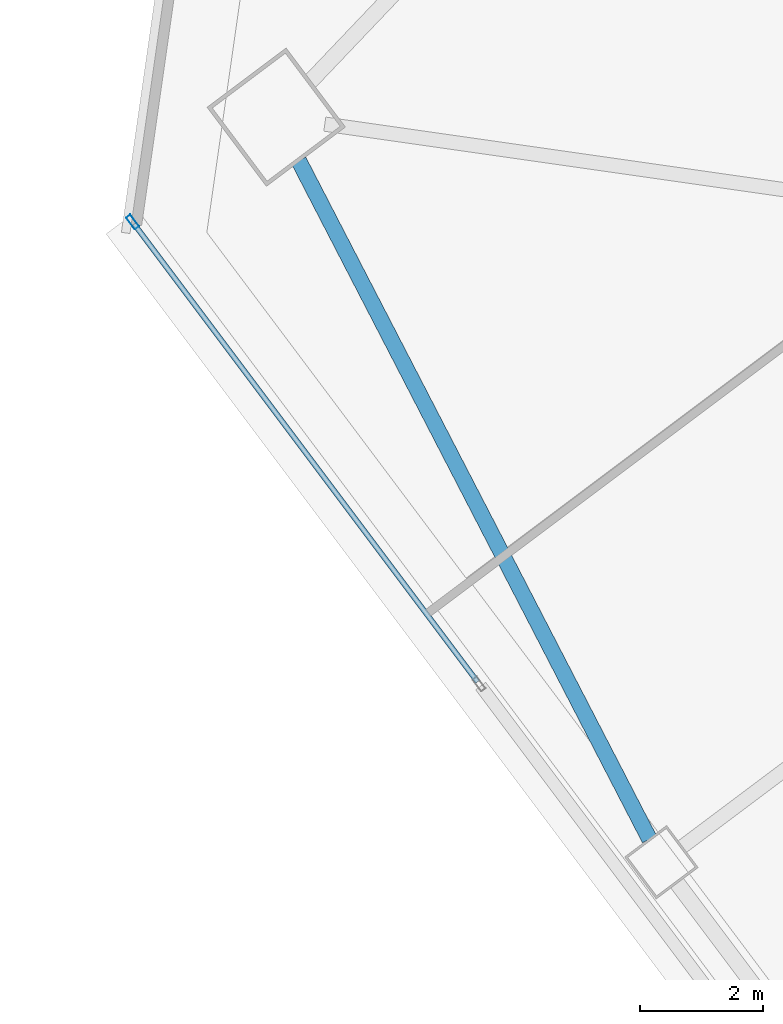
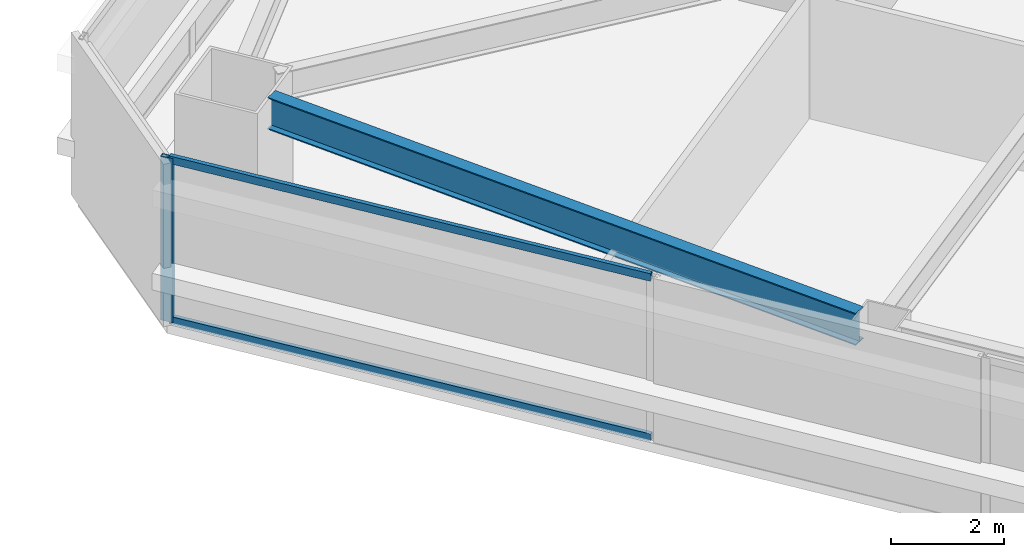
# One storey, part 20 of 46: 3 members, 1 beam, 1 element without a shape of its own.
"""IFC4 building model written with IfcOpenShell, lengths in metres."""

import ifcopenshell
import ifcopenshell.guid

model = None  # the IFC model being written
_history = None  # IfcOwnerHistory: only IFC2X3 demands one
_inside = {}  # id of a spatial element -> (the spatial element, [elements in it])
_under = {}  # id of a project, library or spatial element -> (it, [spatial elements below it])
_declared = {}  # id of a project -> (the project, [libraries it declares])
_typed = {}  # id of a type object -> (the type object, [elements of that type])
_made_of = {}  # id of a material, layer set ... -> (it, [elements and type objects made of it])


def new_model(schema):
    """Start an empty IFC model of exactly this schema.

    Asked for "IFC4X3", IfcOpenShell would pick the latest addendum, in which some entities
    have other attributes; the version numbers below select the first issue.
    IFC2X3 requires an IfcOwnerHistory on every rooted entity: one is made here for all.
    """
    global model, _history
    if schema == "IFC4X3":
        model = ifcopenshell.file(schema_version=(4, 3, 0, 0))
    else:
        model = ifcopenshell.file(schema=schema)
    _inside.clear()
    _under.clear()
    _declared.clear()
    _typed.clear()
    _made_of.clear()
    _history = None
    if model.schema == "IFC2X3":
        org = make("IfcOrganization", Name="unknown")
        user = make(
            "IfcPersonAndOrganization",
            ThePerson=make("IfcPerson", FamilyName="unknown"),
            TheOrganization=org,
        )
        app = make(
            "IfcApplication",
            ApplicationDeveloper=org,
            Version="unknown",
            ApplicationFullName="unknown",
            ApplicationIdentifier="unknown",
        )
        _history = make(
            "IfcOwnerHistory",
            OwningUser=user,
            OwningApplication=app,
            ChangeAction="ADDED",
            CreationDate=0,
        )
    return model


def make(cls, **values):
    """One entity of the class cls with the attributes given. An attribute that is None is left unset."""
    return model.create_entity(
        cls, **{name: value for name, value in values.items() if value is not None}
    )


def rooted(cls, **values):
    """An entity with a GlobalId (a new one), such as an element, a storey or a relation."""
    return make(cls, GlobalId=ifcopenshell.guid.new(), OwnerHistory=_history, **values)


def si_unit(unit_type, name, prefix=None):
    """IfcSIUnit, for example si_unit("LENGTHUNIT", "METRE", prefix="MILLI")."""
    return make("IfcSIUnit", UnitType=unit_type, Prefix=prefix, Name=name)


def assignment(units):
    """IfcUnitAssignment: the units of a project."""
    return None if units is None else make("IfcUnitAssignment", Units=units)


def point(xyz):
    """IfcCartesianPoint."""
    return None if xyz is None else make("IfcCartesianPoint", Coordinates=xyz)


def direction(xyz):
    """IfcDirection."""
    return None if xyz is None else make("IfcDirection", DirectionRatios=xyz)


def frame(location, z_axis=None, x_axis=None):
    """IfcAxis2Placement3D, a coordinate frame: its origin and axes. An axis left out is left unset."""
    return make(
        "IfcAxis2Placement3D",
        Location=point(location),
        Axis=direction(z_axis),
        RefDirection=direction(x_axis),
    )


def frame_2d(location, x_axis=None):
    """IfcAxis2Placement2D, a coordinate frame in the plane: its origin and x axis."""
    return make(
        "IfcAxis2Placement2D", Location=point(location), RefDirection=direction(x_axis)
    )


def origin():
    """The frame at (0, 0, 0) with its axes left unset."""
    return frame((0.0, 0.0, 0.0))


def origin_2d():
    """The frame at (0, 0) in the plane with its x axis left unset."""
    return frame_2d((0.0, 0.0))


def place(relative_to, where):
    """IfcLocalPlacement: puts the frame where relative to a parent placement (None: the world)."""
    return make(
        "IfcLocalPlacement", PlacementRelTo=relative_to, RelativePlacement=where
    )


def context(
    kind, dimensions, precision=None, world=None, true_north=None, identifier=None
):
    """IfcGeometricRepresentationContext, for example the 3D "Model" context."""
    return make(
        "IfcGeometricRepresentationContext",
        ContextIdentifier=identifier,
        ContextType=kind,
        CoordinateSpaceDimension=dimensions,
        Precision=precision,
        WorldCoordinateSystem=world,
        TrueNorth=true_north,
    )


def subcontext(parent, identifier, kind, view, scale=None):
    """IfcGeometricRepresentationSubContext, for example "Body" below "Model"."""
    return make(
        "IfcGeometricRepresentationSubContext",
        ContextIdentifier=identifier,
        ContextType=kind,
        ParentContext=parent,
        TargetScale=scale,
        TargetView=view,
    )


def project(units=None, contexts=None):
    """IfcProject with its units and contexts."""
    return rooted(
        "IfcProject",
        Name="project",
        RepresentationContexts=contexts,
        UnitsInContext=assignment(units),
    )


def spatial(cls, under=None, at=None, **own):
    """A site, building, storey or space (cls), placed at a placement, below another one or the project."""
    s = rooted(cls, ObjectPlacement=at, **own)
    if under is not None:
        _under.setdefault(under.id(), (under, []))[1].append(s)
    return s


def profile(cls, at=None, kind="AREA", **sizes):
    """A parametric profile (cls). Its sizes go by their IFC names, for example OverallWidth=200.0."""
    return make(cls, ProfileType=kind, Position=at, **sizes)


def hollow_rectangle(**sizes):
    """IfcRectangleHollowProfileDef."""
    return profile("IfcRectangleHollowProfileDef", **sizes)


def i_section(**sizes):
    """IfcIShapeProfileDef."""
    return profile("IfcIShapeProfileDef", **sizes)


def extrude(swept, where, along, depth):
    """IfcExtrudedAreaSolid: the profile swept, set in the frame where, extruded along a direction by depth."""
    return make(
        "IfcExtrudedAreaSolid",
        SweptArea=swept,
        Position=where,
        ExtrudedDirection=direction(along),
        Depth=depth,
    )


def shape(context_of_items, identifier, shape_type, items):
    """IfcShapeRepresentation: the items that make up one representation, for example the "Body"."""
    return make(
        "IfcShapeRepresentation",
        ContextOfItems=context_of_items,
        RepresentationIdentifier=identifier,
        RepresentationType=shape_type,
        Items=items,
    )


def material(Name=None, Category=None):
    """IfcMaterial."""
    return make("IfcMaterial", Name=Name, Category=Category)


def material_profile(
    of_material, cross_section, Name=None, Category=None, Priority=None
):
    """IfcMaterialProfile: a cross section and its material."""
    return make(
        "IfcMaterialProfile",
        Name=Name,
        Material=of_material,
        Profile=cross_section,
        Priority=Priority,
        Category=Category,
    )


def profile_set(profiles, Name=None, composite=None):
    """IfcMaterialProfileSet."""
    return make(
        "IfcMaterialProfileSet",
        Name=Name,
        MaterialProfiles=profiles,
        CompositeProfile=composite,
    )


def made_of(thing, what):
    """Note that an element or type object is made of a material, layer set ...; save() writes the relation."""
    if what is not None:
        _made_of.setdefault(what.id(), (what, []))[1].append(thing)
    return thing


def type_object(cls, material=None, **own):
    """A type object (cls), such as IfcWallType, which elements share."""
    return made_of(rooted(cls, **own), material)


def element(
    cls,
    number,
    at=None,
    inside=None,
    cuts=None,
    type_object=None,
    material=None,
    context=None,
    identifier="Body",
    shape_type=None,
    held_by="IfcProductDefinitionShape",
    body=None,
    shapes=None,
    **own,
):
    """One element of the class cls, such as IfcWall. Its Tag is "e" and its number.

    at: its placement. inside: the storey or other place that contains it. cuts: it is an
    opening in that element (IfcRelVoidsElement). A single representation is given by context,
    identifier, shape_type and body (its items); several are given by shapes. held_by: the class
    of the entity that holds the representations. save() writes the other relations.
    """
    e = rooted(cls, Tag="e%d" % number, ObjectPlacement=at, **own)
    if body is not None:
        shapes = [shape(context, identifier, shape_type, body)]
    if shapes is not None:
        e.Representation = make(held_by, Representations=shapes)
    if inside is not None:
        _inside.setdefault(inside.id(), (inside, []))[1].append(e)
    if cuts is not None:
        rooted(
            "IfcRelVoidsElement", RelatingBuildingElement=cuts, RelatedOpeningElement=e
        )
    if type_object is not None:
        _typed.setdefault(type_object.id(), (type_object, []))[1].append(e)
    return made_of(e, material)


def aggregate(whole, parts):
    """IfcRelAggregates: a whole, such as a stair, and the parts it consists of."""
    return rooted("IfcRelAggregates", RelatingObject=whole, RelatedObjects=parts)


def save(model, path):
    """Write the relations noted so far, then the file.

    IfcRelAggregates (storeys below a building ...), IfcRelContainedInSpatialStructure (elements
    in a storey), IfcRelDefinesByType, IfcRelAssociatesMaterial and IfcRelDeclares: one each for
    every whole, place, type object, material and project.
    """
    for whole, parts in _under.values():
        aggregate(whole, parts)
    for where, things in _inside.values():
        rooted(
            "IfcRelContainedInSpatialStructure",
            RelatedElements=things,
            RelatingStructure=where,
        )
    for kind, things in _typed.values():
        rooted("IfcRelDefinesByType", RelatedObjects=things, RelatingType=kind)
    for what, things in _made_of.values():
        rooted("IfcRelAssociatesMaterial", RelatedObjects=things, RelatingMaterial=what)
    for by, libraries in _declared.values():
        rooted("IfcRelDeclares", RelatingContext=by, RelatedDefinitions=libraries)
    model.write(path)


model = new_model("IFC4")

# Units and contexts
model_context = context("Model", 3, precision=1e-05, world=origin(), true_north=direction((0.0, 1.0)))
body_context = subcontext(model_context, "Body", "Model", "MODEL_VIEW")
ifc_project = project(units=[si_unit("LENGTHUNIT", "METRE"), si_unit("AREAUNIT", "SQUARE_METRE"), si_unit("VOLUMEUNIT", "CUBIC_METRE"), si_unit("PLANEANGLEUNIT", "RADIAN"), si_unit("MASSUNIT", "GRAM", prefix="KILO")], contexts=[model_context])

# Site, building, storey
site_placement = place(None, origin())
site = spatial("IfcSite", under=ifc_project, at=site_placement, CompositionType="ELEMENT")
building_placement = place(site_placement, origin())
building = spatial("IfcBuilding", under=site, at=building_placement, Name="Tashvorn Skyway Center", CompositionType="ELEMENT")
storey_placement = place(building_placement, frame((0.0, 0.0, 38.800048828125)))
storey = spatial("IfcBuildingStorey", under=building, at=storey_placement, Name="L09", CompositionType="ELEMENT", Elevation=38.800048828125)

# Beam
ifc_material_1 = material(Name="Steel ASTM A992 Grade 50", Category="steel")
ifc_material_profile_1 = material_profile(ifc_material_1, i_section(OverallWidth=0.256103515625, OverallDepth=0.693115234375, WebThickness=0.014404296875, FlangeThickness=0.023681640625, at=origin_2d()), Name="W27X114")
ifc_profile_set_1 = profile_set([ifc_material_profile_1], Name="Steel ASTM A992 Grade 50")
beam_type = type_object("IfcBeamType", Name="BM-SPANDREL-W27X114", PredefinedType="SPANDREL", material=ifc_profile_set_1)
beam_placement = place(storey_placement, frame((88.045166015625, 35.0537109375, 3.00341796875), z_axis=(0.459233413919, -0.888315637339, 0.0), x_axis=(0.888315637339, 0.459233413919, 0.0)))
element("IfcBeam", 1, at=beam_placement, inside=storey, type_object=beam_type, Name="Tower 2 L09 Spandrel Beam 10", PredefinedType="SPANDREL", context=body_context, shape_type="SweptSolid", body=[
    extrude(i_section(OverallWidth=0.256103515625, OverallDepth=0.693115234375, WebThickness=0.014404296875, FlangeThickness=0.023681640625, at=origin_2d()), origin(), (0.0, 0.0, 1.0), 12.37255859375),
])

# Curtain wall, members
ifc_material_2 = material(Name="Thermally broken bronze-anodized aluminium 6063-T6", Category="aluminium")
curtain_wall_type = type_object("IfcCurtainWallType", Name="CW-CW-Z1", PredefinedType="NOTDEFINED", material=ifc_material_2)
curtain_wall_placement = place(storey_placement, origin())
curtain_wall = element("IfcCurtainWall", 2, at=curtain_wall_placement, inside=storey, type_object=curtain_wall_type, Name="Tower 2 L09 West Unitised Curtain Wall Glazing Group 3", PredefinedType="NOTDEFINED")
ifc_material_profile_2 = material_profile(ifc_material_2, hollow_rectangle(XDim=0.0849609375, YDim=0.239990234375, WallThickness=0.0048828125, at=origin_2d()), Name="ALU-MULL-85x240")
ifc_profile_set_2 = profile_set([ifc_material_profile_2], Name="Thermally broken bronze-anodized aluminium 6063-T6")
member_type_1 = type_object("IfcMemberType", Name="CWM-CW-Z1", PredefinedType="MULLION", material=ifc_profile_set_2)
member_1_placement = place(storey_placement, frame((85.353515625, 34.06201171875, 0.0), z_axis=(0.0, 0.0, 1.0), x_axis=(-0.799999999998, -0.600000000002, 0.0)))
member_1 = element("IfcMember", 3, at=member_1_placement, type_object=member_type_1, Name="CW-Z1 mullion 2", PredefinedType="MULLION", context=body_context, shape_type="SweptSolid", body=[
    extrude(hollow_rectangle(XDim=0.0849609375, YDim=0.239990234375, WallThickness=0.0048828125, at=origin_2d()), origin(), (0.0, 0.0, 1.0), 3.550048828125),
])
ifc_material_profile_3 = material_profile(ifc_material_2, hollow_rectangle(XDim=0.0849609375, YDim=0.1650390625, WallThickness=0.0048828125, at=origin_2d()), Name="ALU-TRAN-85x165")
ifc_profile_set_3 = profile_set([ifc_material_profile_3], Name="Thermally broken bronze-anodized aluminium 6063-T6")
member_type_2 = type_object("IfcMemberType", Name="CWT-CW-Z1", PredefinedType="USERDEFINED", material=ifc_profile_set_3)
member_2_placement = place(storey_placement, frame((90.94091796875, 26.612060546875, 0.04248046875), z_axis=(-0.6, 0.8, 0.0), x_axis=(-0.8, -0.6, 0.0)))
member_2 = element("IfcMember", 4, at=member_2_placement, type_object=member_type_2, Name="CW-Z1 transom 1.1", ObjectType="TRANSOM", PredefinedType="USERDEFINED", context=body_context, shape_type="SweptSolid", body=[
    extrude(hollow_rectangle(XDim=0.0849609375, YDim=0.1650390625, WallThickness=0.0048828125, at=origin_2d()), origin(), (0.0, 0.0, 1.0), 9.27001953125),
])
member_3_placement = place(storey_placement, frame((90.94091796875, 26.612060546875, 3.507568359375), z_axis=(-0.6, 0.8, 0.0), x_axis=(-0.8, -0.6, 0.0)))
member_3 = element("IfcMember", 5, at=member_3_placement, type_object=member_type_2, Name="CW-Z1 transom 1.2", ObjectType="TRANSOM", PredefinedType="USERDEFINED", context=body_context, shape_type="SweptSolid", body=[
    extrude(hollow_rectangle(XDim=0.0849609375, YDim=0.1650390625, WallThickness=0.0048828125, at=origin_2d()), origin(), (0.0, 0.0, 1.0), 9.27001953125),
])
aggregate(curtain_wall, [member_1, member_2, member_3])

save(model, "model.ifc")
